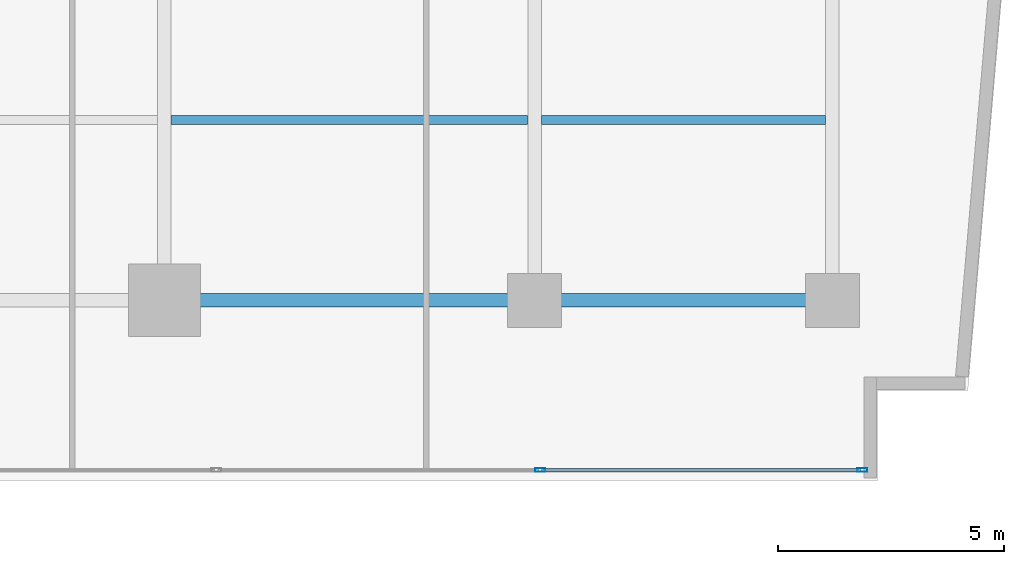
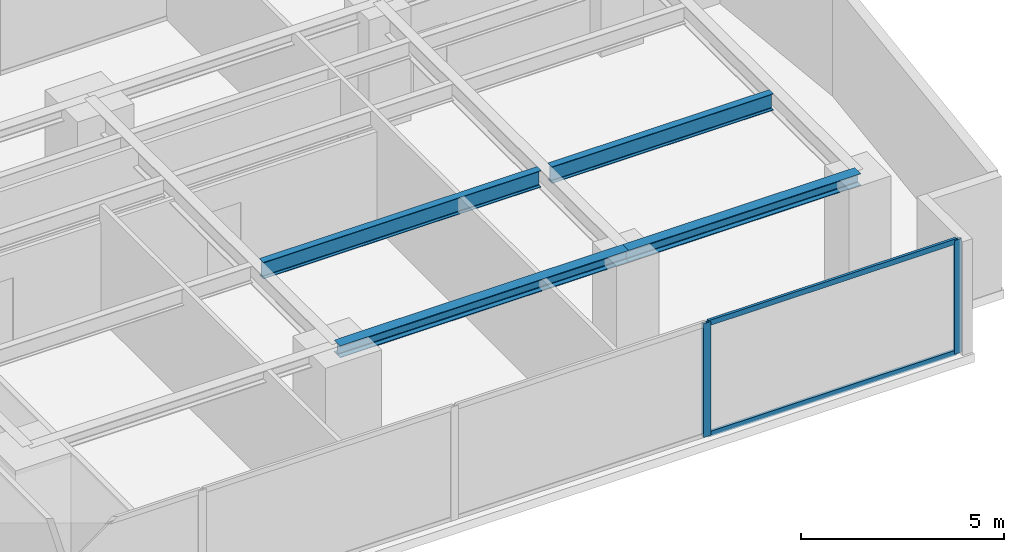
# One storey, part 11 of 28: 4 beams, 4 members, 1 element without a shape of its own.
"""IFC4 building model written with IfcOpenShell, lengths in metres."""

from ifc_helpers import new_model, si_unit, direction, frame, origin, origin_with_axes, origin_2d, place, context, subcontext, project, spatial, hollow_rectangle, i_section, extrude, source, transform, mapped, material, layer, layer_set, material_profile, profile_set, type_object, element, aggregate, save


model = new_model("IFC4")

# Units and contexts
model_context = context("Model", 3, precision=1e-05, world=origin(), true_north=direction((0.0, 1.0)))
body_context = subcontext(model_context, "Body", "Model", "MODEL_VIEW")
ifc_project = project(units=[si_unit("LENGTHUNIT", "METRE"), si_unit("AREAUNIT", "SQUARE_METRE"), si_unit("VOLUMEUNIT", "CUBIC_METRE"), si_unit("PLANEANGLEUNIT", "RADIAN"), si_unit("MASSUNIT", "GRAM", prefix="KILO")], contexts=[model_context])

# Site, building, storey
site_placement = place(None, origin())
site = spatial("IfcSite", under=ifc_project, at=site_placement, CompositionType="ELEMENT")
building_placement = place(site_placement, origin())
building = spatial("IfcBuilding", under=site, at=building_placement, Name="Kolvaren Waterfront Exchange", CompositionType="ELEMENT")
storey_placement = place(building_placement, frame((0.0, 0.0, 79.0)))
storey = spatial("IfcBuildingStorey", under=building, at=storey_placement, Name="L20", CompositionType="ELEMENT", Elevation=79.0)

# Beams
ifc_material_1 = material(Name="Steel S355", Category="steel")
ifc_material_profile_1 = material_profile(ifc_material_1, i_section(OverallWidth=0.300048828125, OverallDepth=0.360107421875, WebThickness=0.012451171875, FlangeThickness=0.0224609375, FilletRadius=0.027099609375, at=origin_2d()), Name="HEB360")
ifc_profile_set_1 = profile_set([ifc_material_profile_1], Name="Steel S355")
beam_type_1 = type_object("IfcBeamType", Name="STR-BM-HEB360", PredefinedType="SPANDREL", material=ifc_profile_set_1)
beam_1_placement = place(storey_placement, frame((45.60009765625, 5.199951171875, 3.239990234375), z_axis=(1.0, 0.0, 0.0), x_axis=(0.0, 1.0, 0.0)))
element("IfcBeam", 1, at=beam_1_placement, inside=storey, type_object=beam_type_1, Name="L20 east-arm spandrel S4", PredefinedType="SPANDREL", context=body_context, shape_type="SweptSolid", body=[
    extrude(i_section(OverallWidth=0.300048828125, OverallDepth=0.360107421875, WebThickness=0.012451171875, FlangeThickness=0.0224609375, FilletRadius=0.027099609375, at=origin_2d()), origin(), (0.0, 0.0, 1.0), 8.199951171875),
])
beam_2_placement = place(storey_placement, frame((53.800048828125, 5.199951171875, 3.239990234375), z_axis=(1.0, 0.0, 0.0), x_axis=(0.0, 1.0, 0.0)))
element("IfcBeam", 2, at=beam_2_placement, inside=storey, type_object=beam_type_1, Name="L20 east-arm spandrel S5", PredefinedType="SPANDREL", context=body_context, shape_type="SweptSolid", body=[
    extrude(i_section(OverallWidth=0.300048828125, OverallDepth=0.360107421875, WebThickness=0.012451171875, FlangeThickness=0.0224609375, FilletRadius=0.027099609375, at=origin_2d()), origin(), (0.0, 0.0, 1.0), 6.599853515625),
])
ifc_material_profile_2 = material_profile(ifc_material_1, i_section(OverallWidth=0.199951171875, OverallDepth=0.5, WebThickness=0.01025390625, FlangeThickness=0.01611328125, FilletRadius=0.02099609375, at=origin_2d()), Name="IPE500")
ifc_profile_set_2 = profile_set([ifc_material_profile_2], Name="Steel S355")
beam_type_2 = type_object("IfcBeamType", Name="STR-BM-IPE500", PredefinedType="JOIST", material=ifc_profile_set_2)
beam_3_placement = place(storey_placement, frame((45.751953125, 9.199951171875, 3.169921875), z_axis=(1.0, 0.0, 0.0), x_axis=(0.0, 1.0, 0.0)))
element("IfcBeam", 3, at=beam_3_placement, inside=storey, type_object=beam_type_2, Name="L20 east-arm composite joist 4B", PredefinedType="JOIST", context=body_context, shape_type="SweptSolid", body=[
    extrude(i_section(OverallWidth=0.199951171875, OverallDepth=0.5, WebThickness=0.01025390625, FlangeThickness=0.01611328125, FilletRadius=0.02099609375, at=origin_2d()), origin(), (0.0, 0.0, 1.0), 7.89599609375),
])
beam_4_placement = place(storey_placement, frame((53.951904296875, 9.199951171875, 3.169921875), z_axis=(1.0, 0.0, 0.0), x_axis=(0.0, 1.0, 0.0)))
element("IfcBeam", 4, at=beam_4_placement, inside=storey, type_object=beam_type_2, Name="L20 east-arm composite joist 5B", PredefinedType="JOIST", context=body_context, shape_type="SweptSolid", body=[
    extrude(i_section(OverallWidth=0.199951171875, OverallDepth=0.5, WebThickness=0.01025390625, FlangeThickness=0.01611328125, FilletRadius=0.02099609375, at=origin_2d()), origin(), (0.0, 0.0, 1.0), 6.296142578125),
])

# Curtain wall, members
ifc_material_2 = material(Name="Anodised bronze aluminium 6063-T6", Category="aluminium")
ifc_layer = layer(ifc_material_2, 0.219970703125, Name="Anodised bronze aluminium 6063-T6")
ifc_layer_set = layer_set([ifc_layer], Name="Anodised bronze aluminium 6063-T6")
curtain_wall_type = type_object("IfcCurtainWallType", Name="ARC-CW-SYS1", PredefinedType="USERDEFINED", material=ifc_layer_set)
curtain_wall_placement = place(storey_placement, origin())
curtain_wall = element("IfcCurtainWall", 5, at=curtain_wall_placement, inside=storey, type_object=curtain_wall_type, Name="L20 stick curtain wall CW1 (CW-L20-S)", ObjectType="STICK CURTAIN WALL", PredefinedType="USERDEFINED")
ifc_material_3 = material(Name="Anodised aluminium 6063-T6", Category="aluminium")
ifc_material_profile_3 = material_profile(ifc_material_3, hollow_rectangle(XDim=0.074951171875, YDim=0.159912109375, WallThickness=0.00439453125, at=origin_2d()), Name="ALU-TRN-160x75x4.5")
ifc_profile_set_3 = profile_set([ifc_material_profile_3], Name="Anodised aluminium 6063-T6")
member_type_1 = type_object("IfcMemberType", Name="ARC-CWT-160", PredefinedType="USERDEFINED", material=ifc_profile_set_3)
shared_shape_1 = source(origin_with_axes(), body_context, "Body", "SweptSolid", [
    extrude(hollow_rectangle(XDim=0.074951171875, YDim=0.159912109375, WallThickness=0.00439453125, at=origin_2d()), origin(), (0.0, 0.0, 1.0), 7.054931640625),
])
member_1_placement = place(storey_placement, frame((53.965087890625, 1.43994140625, 0.03759765625), z_axis=(1.0, 0.0, 0.0), x_axis=(0.0, 1.0, 0.0)))
member_1 = element("IfcMember", 6, at=member_1_placement, type_object=member_type_1, Name="CW1 transom 8.1", ObjectType="TRANSOM", PredefinedType="USERDEFINED", context=body_context, shape_type="MappedRepresentation", body=[
    mapped(shared_shape_1, transform((0.0, 0.0, 0.0), x_axis=(1.0, 0.0, 0.0), y_axis=(0.0, 1.0, 0.0), z_axis=(0.0, 0.0, 1.0), scale=1.0)),
])
member_2_placement = place(storey_placement, frame((53.965087890625, 1.43994140625, 3.382568359375), z_axis=(1.0, 0.0, 0.0), x_axis=(0.0, 1.0, 0.0)))
member_2 = element("IfcMember", 7, at=member_2_placement, type_object=member_type_1, Name="CW1 transom 8.2", ObjectType="TRANSOM", PredefinedType="USERDEFINED", context=body_context, shape_type="MappedRepresentation", body=[
    mapped(shared_shape_1, transform((0.0, 0.0, 0.0), x_axis=(1.0, 0.0, 0.0), y_axis=(0.0, 1.0, 0.0), z_axis=(0.0, 0.0, 1.0), scale=1.0)),
])
ifc_material_profile_4 = material_profile(ifc_material_3, hollow_rectangle(XDim=0.080078125, YDim=0.219970703125, WallThickness=0.0048828125, at=origin_2d()), Name="ALU-MUL-220x80x5")
ifc_profile_set_4 = profile_set([ifc_material_profile_4], Name="Anodised aluminium 6063-T6")
member_type_2 = type_object("IfcMemberType", Name="ARC-CWM-220", PredefinedType="MULLION", material=ifc_profile_set_4)
shared_shape_2 = source(origin_with_axes(), body_context, "Body", "SweptSolid", [
    extrude(hollow_rectangle(XDim=0.080078125, YDim=0.219970703125, WallThickness=0.0048828125, at=origin_2d()), origin(), (0.0, 0.0, 1.0), 3.419921875),
])
member_3_placement = place(storey_placement, frame((53.925048828125, 1.43994140625, 0.0), z_axis=(0.0, 0.0, 1.0), x_axis=(0.0, 1.0, 0.0)))
member_3 = element("IfcMember", 8, at=member_3_placement, type_object=member_type_2, Name="CW1 mullion 8", PredefinedType="MULLION", context=body_context, shape_type="MappedRepresentation", body=[
    mapped(shared_shape_2, transform((0.0, 0.0, 0.0), x_axis=(1.0, 0.0, 0.0), y_axis=(0.0, 1.0, 0.0), z_axis=(0.0, 0.0, 1.0), scale=1.0)),
])
member_4_placement = place(storey_placement, frame((61.06005859375, 1.43994140625, 0.0), z_axis=(0.0, 0.0, 1.0), x_axis=(0.0, 1.0, 0.0)))
member_4 = element("IfcMember", 9, at=member_4_placement, type_object=member_type_2, Name="CW1 mullion 9", PredefinedType="MULLION", context=body_context, shape_type="MappedRepresentation", body=[
    mapped(shared_shape_2, transform((0.0, 0.0, 0.0), x_axis=(1.0, 0.0, 0.0), y_axis=(0.0, 1.0, 0.0), z_axis=(0.0, 0.0, 1.0), scale=1.0)),
])
aggregate(curtain_wall, [member_3, member_4, member_1, member_2])

save(model, "model.ifc")
